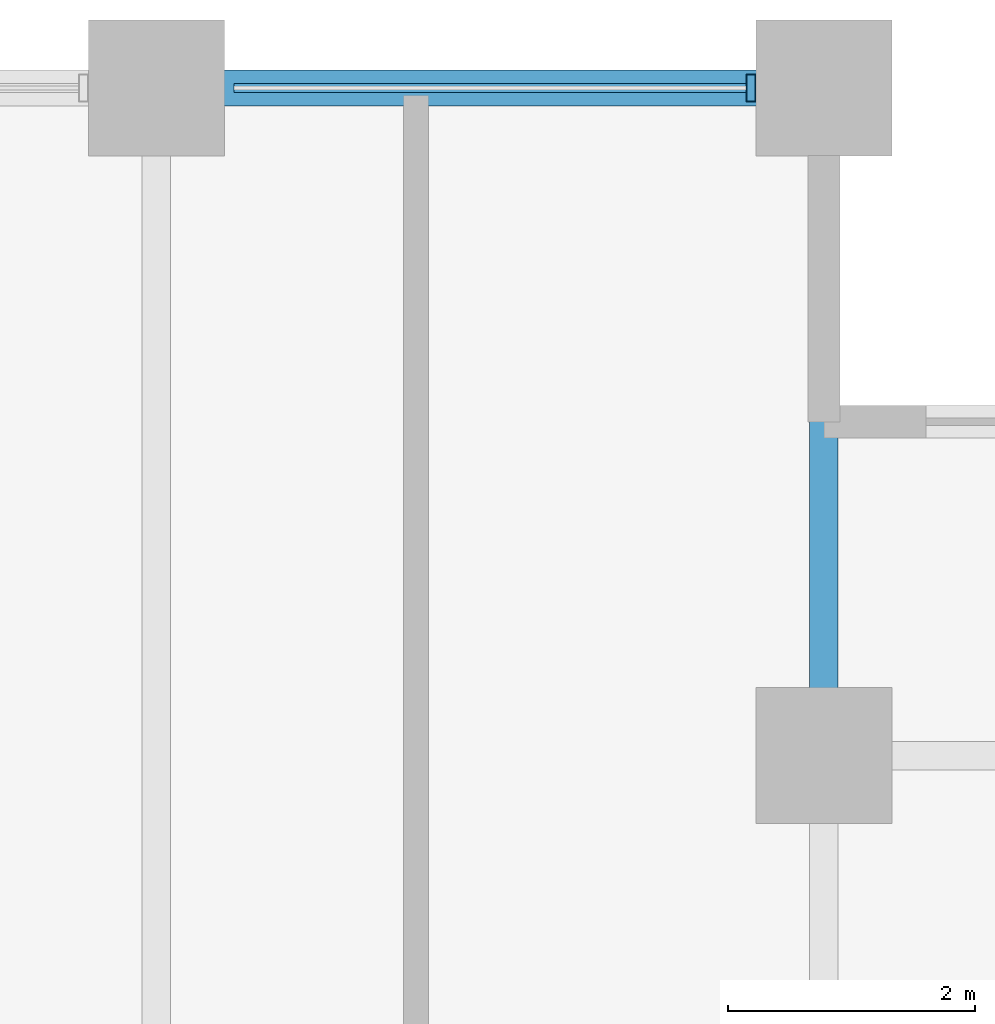
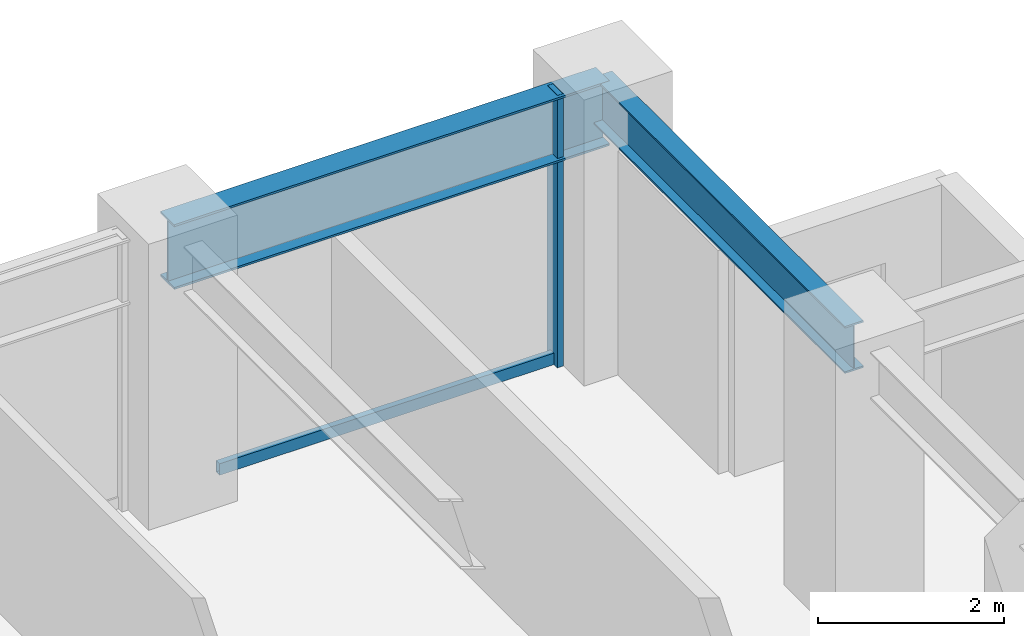
# One storey, part 19 of 29: 2 beams, 2 members, 1 element without a shape of its own.
"""IFC4 building model written with IfcOpenShell, lengths in metres."""

from ifc_helpers import new_model, si_unit, direction, frame, origin, origin_2d, place, context, subcontext, project, spatial, hollow_rectangle, i_section, extrude, material, layer, layer_set, material_profile, profile_set, type_object, element, aggregate, save


model = new_model("IFC4")

# Units and contexts
model_context = context("Model", 3, precision=1e-05, world=origin(), true_north=direction((0.0, 1.0)))
body_context = subcontext(model_context, "Body", "Model", "MODEL_VIEW")
ifc_project = project(units=[si_unit("LENGTHUNIT", "METRE"), si_unit("AREAUNIT", "SQUARE_METRE"), si_unit("VOLUMEUNIT", "CUBIC_METRE"), si_unit("PLANEANGLEUNIT", "RADIAN"), si_unit("MASSUNIT", "GRAM", prefix="KILO")], contexts=[model_context])

# Site, building, storey
site_placement = place(None, origin())
site = spatial("IfcSite", under=ifc_project, at=site_placement, CompositionType="ELEMENT")
building_placement = place(site_placement, origin())
building = spatial("IfcBuilding", under=site, at=building_placement, Name="Surkhivell Harbour Commons", CompositionType="ELEMENT")
storey_placement = place(building_placement, frame((0.0, 0.0, 90.75)))
storey = spatial("IfcBuildingStorey", under=building, at=storey_placement, Name="L23", CompositionType="ELEMENT", Elevation=90.75)

# Beams
ifc_material_1 = material(Name="Steel S355", Category="steel")
ifc_material_profile_1 = material_profile(ifc_material_1, i_section(OverallWidth=0.22998046875, OverallDepth=0.616943359375, WebThickness=0.01318359375, FlangeThickness=0.022216796875, at=origin_2d()), Name="UB610x229x140")
ifc_profile_set_1 = profile_set([ifc_material_profile_1], Name="Steel S355")
beam_type_1 = type_object("IfcBeamType", Name="BM-GRD-610B", PredefinedType="BEAM", material=ifc_profile_set_1)
beam_1_placement = place(storey_placement, frame((16.199951171875, 20.5, 3.261474609375), z_axis=(0.0, 1.0, 0.0), x_axis=(-1.0, 0.0, 0.0)))
element("IfcBeam", 1, at=beam_1_placement, inside=storey, type_object=beam_type_1, Name="L23 Floor Girder (16.2,20.5)", PredefinedType="BEAM", context=body_context, shape_type="SweptSolid", body=[
    extrude(i_section(OverallWidth=0.22998046875, OverallDepth=0.616943359375, WebThickness=0.01318359375, FlangeThickness=0.022216796875, at=origin_2d()), origin(), (0.0, 0.0, 1.0), 5.39990234375),
])
ifc_material_2 = material(Name="Steel S460", Category="steel")
ifc_material_profile_2 = material_profile(ifc_material_2, i_section(OverallWidth=0.2939453125, OverallDepth=0.85107421875, WebThickness=0.01611328125, FlangeThickness=0.02685546875, at=origin_2d()), Name="UB838x292x226")
ifc_profile_set_2 = profile_set([ifc_material_profile_2], Name="Steel S460")
beam_type_2 = type_object("IfcBeamType", Name="BM-SPN-838", PredefinedType="SPANDREL", material=ifc_profile_set_2)
beam_2_placement = place(storey_placement, frame((10.800048828125, 25.89990234375, 3.14453125), z_axis=(1.0, 0.0, 0.0), x_axis=(0.0, 1.0, 0.0)))
element("IfcBeam", 2, at=beam_2_placement, inside=storey, type_object=beam_type_2, Name="L23 Tube Spandrel (10.8,25.9)", PredefinedType="SPANDREL", context=body_context, shape_type="SweptSolid", body=[
    extrude(i_section(OverallWidth=0.2939453125, OverallDepth=0.85107421875, WebThickness=0.01611328125, FlangeThickness=0.02685546875, at=origin_2d()), origin(), (0.0, 0.0, 1.0), 5.39990234375),
])

# Curtain wall, members
ifc_material_3 = material(Name="Anodised pale-metal aluminium and insulated glazing", Category="aluminium")
ifc_layer = layer(ifc_material_3, 0.205078125)
ifc_layer_set = layer_set([ifc_layer], Name="Anodised pale-metal aluminium and insulated glazing")
curtain_wall_type = type_object("IfcCurtainWallType", Name="CW-SYS-Z2", PredefinedType="NOTDEFINED", material=ifc_layer_set)
curtain_wall_placement = place(storey_placement, origin())
curtain_wall = element("IfcCurtainWall", 3, at=curtain_wall_placement, inside=storey, type_object=curtain_wall_type, Name="L23 Curtain Wall CW-L23-E07S1", PredefinedType="NOTDEFINED")
ifc_material_4 = material(Name="Anodised pale-metal aluminium alloy 6063-T6", Category="aluminium")
ifc_material_profile_3 = material_profile(ifc_material_4, hollow_rectangle(XDim=0.074951171875, YDim=0.219970703125, WallThickness=0.00390625, at=origin_2d()), Name="ALU-MULL-75x220")
ifc_profile_set_3 = profile_set([ifc_material_profile_3], Name="Anodised pale-metal aluminium alloy 6063-T6")
member_type_1 = type_object("IfcMemberType", Name="CWM-220", PredefinedType="MULLION", material=ifc_profile_set_3)
member_1_placement = place(storey_placement, frame((15.610595703125, 25.89990234375, 0.0), z_axis=(0.0, 0.0, 1.0), x_axis=(-1.0, 0.0, 0.0)))
member_1 = element("IfcMember", 4, at=member_1_placement, type_object=member_type_1, Name="CW-Z2 mullion 1", PredefinedType="MULLION", context=body_context, shape_type="SweptSolid", body=[
    extrude(hollow_rectangle(XDim=0.074951171875, YDim=0.219970703125, WallThickness=0.00390625, at=origin_2d()), origin(), (0.0, 0.0, 1.0), 3.570068359375),
])
ifc_material_profile_4 = material_profile(ifc_material_4, hollow_rectangle(XDim=0.074951171875, YDim=0.14990234375, WallThickness=0.00341796875, at=origin_2d()), Name="ALU-TRAN-75x150")
ifc_profile_set_4 = profile_set([ifc_material_profile_4], Name="Anodised pale-metal aluminium alloy 6063-T6")
member_type_2 = type_object("IfcMemberType", Name="CWT-150", PredefinedType="USERDEFINED", material=ifc_profile_set_4)
member_2_placement = place(storey_placement, frame((15.572998046875, 25.89990234375, 0.074951171875), z_axis=(-1.0, 0.0, 0.0), x_axis=(0.0, -1.0, 0.0)))
member_2 = element("IfcMember", 5, at=member_2_placement, type_object=member_type_2, Name="CW-Z2 transom 1.1", ObjectType="TRANSOM", PredefinedType="USERDEFINED", context=body_context, shape_type="SweptSolid", body=[
    extrude(hollow_rectangle(XDim=0.074951171875, YDim=0.14990234375, WallThickness=0.00341796875, at=origin_2d()), origin(), (0.0, 0.0, 1.0), 4.14599609375),
])
aggregate(curtain_wall, [member_1, member_2])

save(model, "model.ifc")
